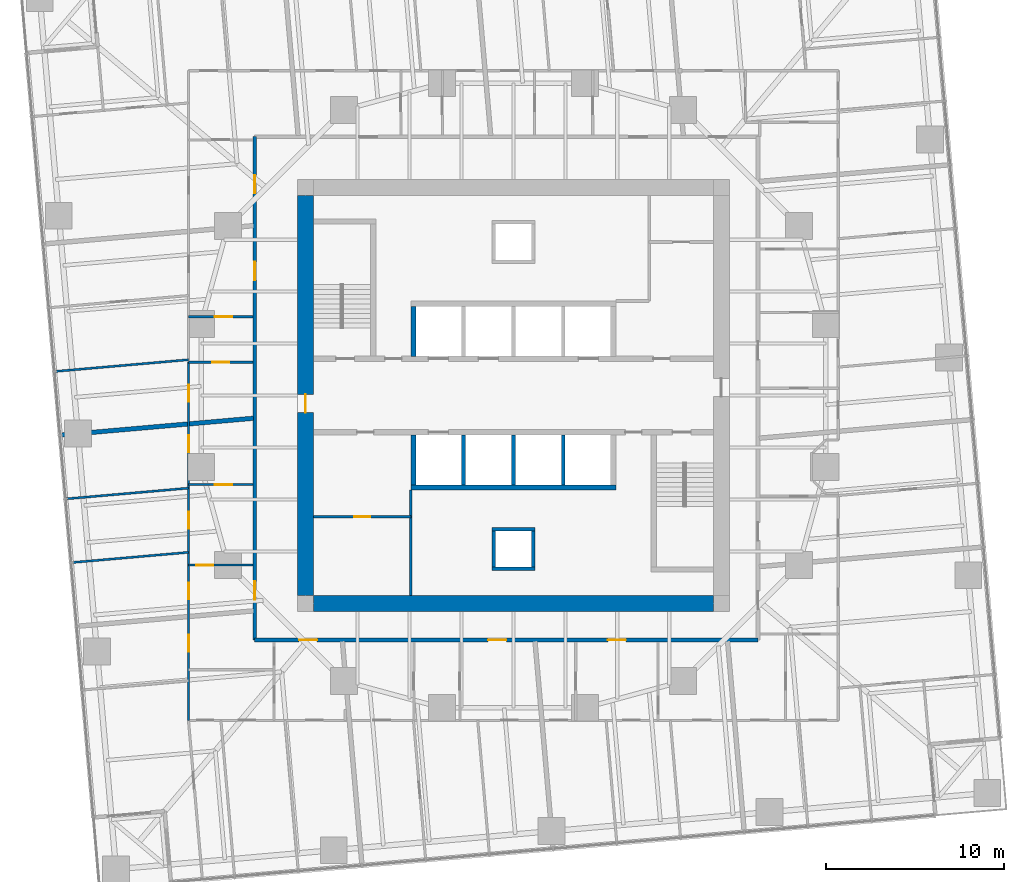
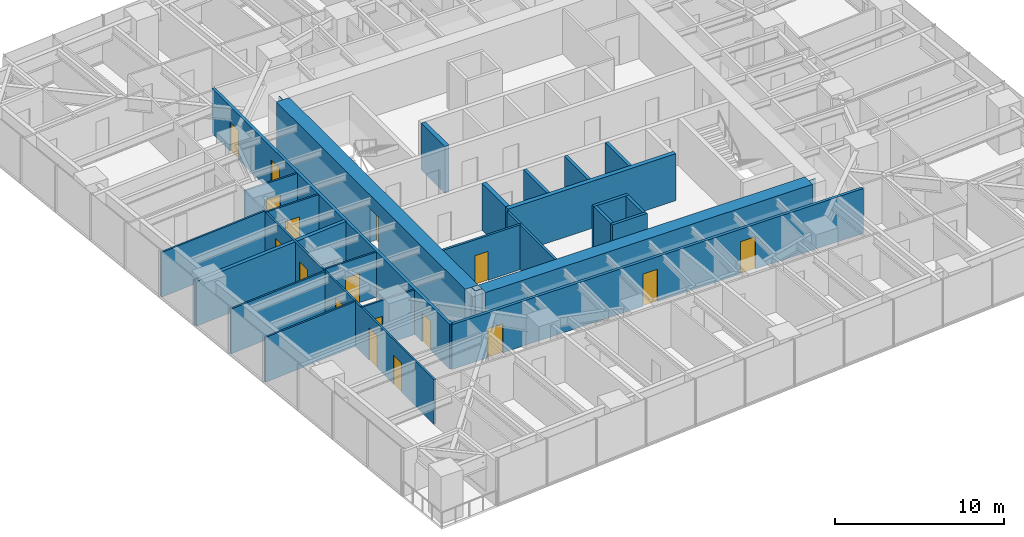
# One storey, part 9 of 14: 25 walls, 17 doors, 17 openings.
"""IFC4 building model written with IfcOpenShell, lengths in metres."""

from ifc_helpers import new_model, si_unit, direction, frame, frame_2d, origin, place, context, subcontext, project, spatial, polyline, rectangle, outline, extrude, material, layer, layer_set, type_object, element, fill, save


model = new_model("IFC4")

# Units and contexts
model_context = context("Model", 3, precision=1e-05, world=origin(), true_north=direction((0.0, 1.0)))
body_context = subcontext(model_context, "Body", "Model", "MODEL_VIEW")
ifc_project = project(units=[si_unit("LENGTHUNIT", "METRE"), si_unit("AREAUNIT", "SQUARE_METRE"), si_unit("VOLUMEUNIT", "CUBIC_METRE"), si_unit("PLANEANGLEUNIT", "RADIAN"), si_unit("MASSUNIT", "GRAM", prefix="KILO")], contexts=[model_context])

# Site, building, storey
site_placement = place(None, origin())
site = spatial("IfcSite", under=ifc_project, at=site_placement, CompositionType="ELEMENT")
building_placement = place(site_placement, origin())
building = spatial("IfcBuilding", under=site, at=building_placement, Name="Torsade Residences", CompositionType="ELEMENT")
storey_placement = place(building_placement, frame((0.0, 0.0, 67.60009765625)))
storey = spatial("IfcBuildingStorey", under=building, at=storey_placement, Name="L18", CompositionType="ELEMENT", Elevation=67.60009765625)

# Walls
ifc_material_1 = material(Name="Concrete 80 MPa", Category="concrete")
ifc_layer_1 = layer(ifc_material_1, 0.300048828125)
ifc_layer_set_1 = layer_set([ifc_layer_1], Name="Concrete 80 MPa")
wall_type_1 = type_object("IfcWallType", Name="CORE INTERNAL WALL 300", PredefinedType="SHEAR", material=ifc_layer_set_1)
wall_1_placement = place(storey_placement, frame((45.75, 24.85009765625, 0.0), z_axis=(0.0, 0.0, 1.0), x_axis=(-1.0, 0.0, 0.0)))
element("IfcWall", 1, at=wall_1_placement, inside=storey, type_object=wall_type_1, Name="Core wall BS L18", PredefinedType="SHEAR", context=body_context, shape_type="SweptSolid", body=[
    extrude(rectangle(XDim=11.5, YDim=0.300048828125, at=frame_2d((5.75, 0.0))), origin(), (0.0, 0.0, 1.0), 3.39990234375),
])
for number, where, z_axis, x_axis, name in (
    (2, (34.39990234375, 32.199951171875, 0.0), (0.0, 0.0, 1.0), (0.0, 1.0, 0.0), "Core wall DN0 L18"),
    (3, (34.39990234375, 27.800048828125, 0.0), (0.0, 0.0, 1.0), (0.0, -1.0, 0.0), "Core wall DS4 L18"),
):
    element("IfcWall", number, at=place(storey_placement, frame(where, z_axis=z_axis, x_axis=x_axis)), inside=storey, type_object=wall_type_1, Name=name, PredefinedType="SHEAR", context=body_context, shape_type="SweptSolid", body=[
        extrude(rectangle(XDim=2.800048828125, YDim=0.300048828125, at=frame_2d((1.39990234375, 0.0))), origin(), (0.0, 0.0, 1.0), 3.39990234375),
    ])
ifc_material_2 = material(Name="Concrete 80 MPa", Category="concrete")
ifc_layer_2 = layer(ifc_material_2, 0.89990234375)
ifc_layer_set_2 = layer_set([ifc_layer_2], Name="Concrete 80 MPa")
wall_type_2 = type_object("IfcWallType", Name="CORE WALL 900", PredefinedType="SHEAR", material=ifc_layer_set_2)
wall_2_placement = place(storey_placement, frame((51.199951171875, 18.35009765625, 0.0), z_axis=(0.0, 0.0, 1.0), x_axis=(-1.0, 0.0, 0.0)))
element("IfcWall", 4, at=wall_2_placement, inside=storey, type_object=wall_type_2, Name="Core wall S L18", PredefinedType="SHEAR", context=body_context, shape_type="SweptSolid", body=[
    extrude(outline(polyline([(0.0, -0.449951171875), (22.39990234375, -0.449951171875), (22.39990234375, -0.02490234375), (22.849853515625, -0.02490234375), (22.849853515625, 0.02490234375), (22.39990234375, 0.02490234375), (22.39990234375, 0.449951171875), (0.0, 0.449951171875), (0.0, 0.02490234375), (-0.449951171875, 0.02490234375), (-0.449951171875, -0.02490234375), (0.0, -0.02490234375), (0.0, -0.449951171875)])), origin(), (0.0, 0.0, 1.0), 3.39990234375),
])

# Wall, opening, door
wall_3_placement = place(storey_placement, frame((28.35009765625, 41.199951171875, 0.0), z_axis=(0.0, 0.0, 1.0), x_axis=(0.0, -1.0, 0.0)))
wall_3 = element("IfcWall", 5, at=wall_3_placement, inside=storey, type_object=wall_type_2, Name="Core wall W L18", PredefinedType="SHEAR", context=body_context, shape_type="SweptSolid", body=[
    extrude(outline(polyline([(0.0, -0.449951171875), (22.39990234375, -0.449951171875), (22.39990234375, -0.02490234375), (22.849853515625, -0.02490234375), (22.849853515625, 0.02490234375), (22.39990234375, 0.02490234375), (22.39990234375, 0.449951171875), (0.0, 0.449951171875), (0.0, 0.02490234375), (-0.449951171875, 0.02490234375), (-0.449951171875, -0.02490234375), (0.0, -0.02490234375), (0.0, -0.449951171875)])), origin(), (0.0, 0.0, 1.0), 3.39990234375),
])
opening_1_placement = place(wall_3_placement, frame((11.139892578125, 0.0, 0.0)))
opening_1 = element("IfcOpeningElement", 6, at=opening_1_placement, cuts=wall_3, Name="Opening D04", PredefinedType="OPENING", context=body_context, shape_type="SweptSolid", body=[
    extrude(rectangle(XDim=1.02001953125, YDim=2.39990234375, at=frame_2d((0.510009765625, 1.199951171875))), frame((0.0, 0.4599609375, 0.0), z_axis=(0.0, -1.0, 0.0), x_axis=(1.0, 0.0, 0.0)), (0.0, 0.0, 1.0), 0.919921875),
])
ifc_material_3 = material(Name="Steel-framed fire door", Category="steel")
door_type_1 = type_object("IfcDoorType", Name="LOBBY SMOKE DOOR 1020x2400", OperationType="NOTDEFINED", PredefinedType="DOOR", material=ifc_material_3)
door_1_placement = place(opening_1_placement, origin())
door_1 = element("IfcDoor", 7, at=door_1_placement, inside=storey, type_object=door_type_1, Name="Lift lobby door W L18", OperationType="SINGLE_SWING_RIGHT", OverallHeight=2.39990234375, OverallWidth=1.02001953125, PredefinedType="DOOR", context=body_context, shape_type="SweptSolid", body=[
    extrude(rectangle(XDim=1.02001953125, YDim=2.39990234375, at=frame_2d((0.510009765625, 1.199951171875))), frame((0.0, 0.02490234375, 0.0), z_axis=(0.0, -1.0, 0.0), x_axis=(1.0, 0.0, 0.0)), (0.0, 0.0, 1.0), 0.050048828125),
])
fill(opening_1, door_1)

# Wall, openings, doors
ifc_material_4 = material(Name="Plasterboard on steel stud", Category="steel")
ifc_layer_3 = layer(ifc_material_4, 0.199951171875)
ifc_layer_set_3 = layer_set([ifc_layer_3], Name="Plasterboard on steel stud")
wall_type_3 = type_object("IfcWallType", Name="CORRIDOR WALL 200", PredefinedType="PARTITIONING", material=ifc_layer_set_3)
wall_4_placement = place(storey_placement, frame((25.5, 16.300048828125, 0.0), z_axis=(0.0, 0.0, 1.0), x_axis=(1.0, 0.0, 0.0)))
wall_4 = element("IfcWall", 8, at=wall_4_placement, inside=storey, type_object=wall_type_3, Name="Corridor wall L18", PredefinedType="PARTITIONING", context=body_context, shape_type="SweptSolid", body=[
    extrude(rectangle(XDim=28.199951171875, YDim=0.199951171875, at=frame_2d((14.10009765625, 0.0))), origin(), (0.0, 0.0, 1.0), 3.25),
])
opening_2_placement = place(wall_4_placement, frame((19.783935546875, 0.0, 0.0)))
opening_2 = element("IfcOpeningElement", 9, at=opening_2_placement, cuts=wall_4, Name="Opening D01", PredefinedType="OPENING", context=body_context, shape_type="SweptSolid", body=[
    extrude(rectangle(XDim=1.02001953125, YDim=2.340087890625, at=frame_2d((0.510009765625, 1.169921875))), frame((0.0, 0.10986328125, 0.0), z_axis=(0.0, -1.0, 0.0), x_axis=(1.0, 0.0, 0.0)), (0.0, 0.0, 1.0), 0.219970703125),
])
opening_3_placement = place(wall_4_placement, frame((13.085693359375, 0.0, 0.0)))
opening_3 = element("IfcOpeningElement", 10, at=opening_3_placement, cuts=wall_4, Name="Opening D01", PredefinedType="OPENING", context=body_context, shape_type="SweptSolid", body=[
    extrude(rectangle(XDim=1.02001953125, YDim=2.340087890625, at=frame_2d((0.510009765625, 1.169921875))), frame((0.0, 0.10986328125, 0.0), z_axis=(0.0, -1.0, 0.0), x_axis=(1.0, 0.0, 0.0)), (0.0, 0.0, 1.0), 0.219970703125),
])
opening_4_placement = place(wall_4_placement, frame((2.483154296875, 0.0, 0.0)))
opening_4 = element("IfcOpeningElement", 11, at=opening_4_placement, cuts=wall_4, Name="Opening D01L", PredefinedType="OPENING", context=body_context, shape_type="SweptSolid", body=[
    extrude(rectangle(XDim=1.02001953125, YDim=2.10009765625, at=frame_2d((0.510009765625, 1.050048828125))), frame((0.0, 0.10986328125, 0.0), z_axis=(0.0, -1.0, 0.0), x_axis=(1.0, 0.0, 0.0)), (0.0, 0.0, 1.0), 0.219970703125),
])
ifc_material_5 = material(Name="Solid-core timber fire door", Category="wood")
door_type_2 = type_object("IfcDoorType", Name="APARTMENT ENTRY DOOR 1020x2100", OperationType="NOTDEFINED", PredefinedType="DOOR", material=ifc_material_5)
door_2_placement = place(opening_4_placement, origin())
door_2 = element("IfcDoor", 12, at=door_2_placement, inside=storey, type_object=door_type_2, Name="Door Residential corridor to Kitchen and dining", OperationType="SINGLE_SWING_LEFT", OverallHeight=2.10009765625, OverallWidth=1.02001953125, PredefinedType="DOOR", context=body_context, shape_type="SweptSolid", body=[
    extrude(rectangle(XDim=1.02001953125, YDim=2.10009765625, at=frame_2d((0.510009765625, 1.050048828125))), frame((0.0, 0.02490234375, 0.0), z_axis=(0.0, -1.0, 0.0), x_axis=(1.0, 0.0, 0.0)), (0.0, 0.0, 1.0), 0.050048828125),
])
fill(opening_4, door_2)
ifc_material_6 = material(Name="Solid-core timber fire door", Category="wood")
door_type_3 = type_object("IfcDoorType", Name="APARTMENT ENTRY DOOR 1020x2340", OperationType="NOTDEFINED", PredefinedType="DOOR", material=ifc_material_6)
door_3_placement = place(opening_2_placement, origin())
door_3 = element("IfcDoor", 13, at=door_3_placement, inside=storey, type_object=door_type_3, Name="Door Residential corridor to Kitchen and dining", OperationType="SINGLE_SWING_LEFT", OverallHeight=2.340087890625, OverallWidth=1.02001953125, PredefinedType="DOOR", context=body_context, shape_type="SweptSolid", body=[
    extrude(rectangle(XDim=1.02001953125, YDim=2.340087890625, at=frame_2d((0.510009765625, 1.169921875))), frame((0.0, 0.02490234375, 0.0), z_axis=(0.0, -1.0, 0.0), x_axis=(1.0, 0.0, 0.0)), (0.0, 0.0, 1.0), 0.050048828125),
])
fill(opening_2, door_3)
door_4_placement = place(opening_3_placement, origin())
door_4 = element("IfcDoor", 14, at=door_4_placement, inside=storey, type_object=door_type_3, Name="Door Residential corridor to Kitchen and dining", OperationType="SINGLE_SWING_LEFT", OverallHeight=2.340087890625, OverallWidth=1.02001953125, PredefinedType="DOOR", context=body_context, shape_type="SweptSolid", body=[
    extrude(rectangle(XDim=1.02001953125, YDim=2.340087890625, at=frame_2d((0.510009765625, 1.169921875))), frame((0.0, 0.02490234375, 0.0), z_axis=(0.0, -1.0, 0.0), x_axis=(1.0, 0.0, 0.0)), (0.0, 0.0, 1.0), 0.050048828125),
])
fill(opening_3, door_4)

wall_5_placement = place(storey_placement, frame((25.5, 44.5, 0.0), z_axis=(0.0, 0.0, 1.0), x_axis=(0.0, -1.0, 0.0)))
wall_5 = element("IfcWall", 15, at=wall_5_placement, inside=storey, type_object=wall_type_3, Name="Corridor wall L18", PredefinedType="PARTITIONING", context=body_context, shape_type="SweptSolid", body=[
    extrude(rectangle(XDim=28.199951171875, YDim=0.199951171875, at=frame_2d((14.10009765625, 0.0))), origin(), (0.0, 0.0, 1.0), 3.25),
])
opening_5_placement = place(wall_5_placement, frame((7.019287109375, 0.0, 0.0)))
opening_5 = element("IfcOpeningElement", 16, at=opening_5_placement, cuts=wall_5, Name="Opening D01", PredefinedType="OPENING", context=body_context, shape_type="SweptSolid", body=[
    extrude(rectangle(XDim=1.02001953125, YDim=2.340087890625, at=frame_2d((0.510009765625, 1.169921875))), frame((0.0, 0.10986328125, 0.0), z_axis=(0.0, -1.0, 0.0), x_axis=(1.0, 0.0, 0.0)), (0.0, 0.0, 1.0), 0.219970703125),
])
opening_6_placement = place(wall_5_placement, frame((2.14990234375, 0.0, 0.0)))
opening_6 = element("IfcOpeningElement", 17, at=opening_6_placement, cuts=wall_5, Name="Opening D01L", PredefinedType="OPENING", context=body_context, shape_type="SweptSolid", body=[
    extrude(rectangle(XDim=1.02001953125, YDim=2.10009765625, at=frame_2d((0.510009765625, 1.050048828125))), frame((0.0, 0.10986328125, 0.0), z_axis=(0.0, -1.0, 0.0), x_axis=(1.0, 0.0, 0.0)), (0.0, 0.0, 1.0), 0.219970703125),
])
opening_7_placement = place(wall_5_placement, frame((24.916015625, 0.0, 0.0)))
opening_7 = element("IfcOpeningElement", 18, at=opening_7_placement, cuts=wall_5, Name="Opening D01L", PredefinedType="OPENING", context=body_context, shape_type="SweptSolid", body=[
    extrude(rectangle(XDim=1.02001953125, YDim=2.10009765625, at=frame_2d((0.510009765625, 1.050048828125))), frame((0.0, 0.10986328125, 0.0), z_axis=(0.0, -1.0, 0.0), x_axis=(1.0, 0.0, 0.0)), (0.0, 0.0, 1.0), 0.219970703125),
])
door_5_placement = place(opening_6_placement, origin())
door_5 = element("IfcDoor", 19, at=door_5_placement, inside=storey, type_object=door_type_2, Name="Door Residential corridor to Kitchen and dining", OperationType="SINGLE_SWING_LEFT", OverallHeight=2.10009765625, OverallWidth=1.02001953125, PredefinedType="DOOR", context=body_context, shape_type="SweptSolid", body=[
    extrude(rectangle(XDim=1.02001953125, YDim=2.10009765625, at=frame_2d((0.510009765625, 1.050048828125))), frame((0.0, 0.02490234375, 0.0), z_axis=(0.0, -1.0, 0.0), x_axis=(1.0, 0.0, 0.0)), (0.0, 0.0, 1.0), 0.050048828125),
])
fill(opening_6, door_5)
door_6_placement = place(opening_7_placement, origin())
door_6 = element("IfcDoor", 20, at=door_6_placement, inside=storey, type_object=door_type_2, Name="Door Residential corridor to Kitchen and dining", OperationType="SINGLE_SWING_RIGHT", OverallHeight=2.10009765625, OverallWidth=1.02001953125, PredefinedType="DOOR", context=body_context, shape_type="SweptSolid", body=[
    extrude(rectangle(XDim=1.02001953125, YDim=2.10009765625, at=frame_2d((0.510009765625, 1.050048828125))), frame((0.0, 0.02490234375, 0.0), z_axis=(0.0, -1.0, 0.0), x_axis=(1.0, 0.0, 0.0)), (0.0, 0.0, 1.0), 0.050048828125),
])
fill(opening_7, door_6)
door_7_placement = place(opening_5_placement, origin())
door_7 = element("IfcDoor", 21, at=door_7_placement, inside=storey, type_object=door_type_3, Name="Door Residential corridor to Kitchen and dining", OperationType="SINGLE_SWING_RIGHT", OverallHeight=2.340087890625, OverallWidth=1.02001953125, PredefinedType="DOOR", context=body_context, shape_type="SweptSolid", body=[
    extrude(rectangle(XDim=1.02001953125, YDim=2.340087890625, at=frame_2d((0.510009765625, 1.169921875))), frame((0.0, 0.02490234375, 0.0), z_axis=(0.0, -1.0, 0.0), x_axis=(1.0, 0.0, 0.0)), (0.0, 0.0, 1.0), 0.050048828125),
])
fill(opening_5, door_7)

# Walls
ifc_material_7 = material(Name="Reinforced blockwork", Category="masonry")
ifc_layer_4 = layer(ifc_material_7, 0.199951171875)
ifc_layer_set_4 = layer_set([ifc_layer_4], Name="Reinforced blockwork")
wall_type_4 = type_object("IfcWallType", Name="LIFT SHAFT DIVIDING WALL 200", PredefinedType="SOLIDWALL", material=ifc_layer_set_4)
for number, where, z_axis, x_axis, name in (
    (22, (42.800048828125, 27.800048828125, 0.0), (0.0, 0.0, 1.0), (0.0, -1.0, 0.0), "Core wall DS1 L18"),
    (23, (40.0, 27.800048828125, 0.0), (0.0, 0.0, 1.0), (0.0, -1.0, 0.0), "Core wall DS2 L18"),
    (24, (37.199951171875, 27.800048828125, 0.0), (0.0, 0.0, 1.0), (0.0, -1.0, 0.0), "Core wall DS3 L18"),
):
    element("IfcWall", number, at=place(storey_placement, frame(where, z_axis=z_axis, x_axis=x_axis)), inside=storey, type_object=wall_type_4, Name=name, PredefinedType="SOLIDWALL", context=body_context, shape_type="SweptSolid", body=[
        extrude(rectangle(XDim=2.800048828125, YDim=0.199951171875, at=frame_2d((1.39990234375, 0.0))), origin(), (0.0, 0.0, 1.0), 3.39990234375),
    ])

# Wall, opening, door
ifc_material_8 = material(Name="Plasterboard on steel stud", Category="steel")
ifc_layer_5 = layer(ifc_material_8, 0.1201171875)
ifc_layer_set_5 = layer_set([ifc_layer_5], Name="Plasterboard on steel stud")
wall_type_5 = type_object("IfcWallType", Name="PARTITION 120", PredefinedType="PARTITIONING", material=ifc_layer_set_5)
wall_6_placement = place(storey_placement, frame((21.800048828125, 20.5, 0.0), z_axis=(0.0, 0.0, 1.0), x_axis=(1.0, 0.0, 0.0)))
wall_6 = element("IfcWall", 25, at=wall_6_placement, inside=storey, type_object=wall_type_5, Name="Partition L18", PredefinedType="PARTITIONING", context=body_context, shape_type="SweptSolid", body=[
    extrude(rectangle(XDim=3.599853515625, YDim=0.1201171875, at=frame_2d((1.7998046875, 0.0))), origin(), (0.0, 0.0, 1.0), 3.25),
])
opening_8_placement = place(wall_6_placement, frame((0.419921875, 0.0, 0.0)))
opening_8 = element("IfcOpeningElement", 26, at=opening_8_placement, cuts=wall_6, Name="Opening D05", PredefinedType="OPENING", context=body_context, shape_type="SweptSolid", body=[
    extrude(rectangle(XDim=0.9599609375, YDim=2.10009765625, at=frame_2d((0.47998046875, 1.050048828125))), frame((0.0, 0.070068359375, 0.0), z_axis=(0.0, -1.0, 0.0), x_axis=(1.0, 0.0, 0.0)), (0.0, 0.0, 1.0), 0.14013671875),
])
ifc_material_9 = material(Name="Hollow-core timber door in a steel cavity frame", Category="steel")
door_type_4 = type_object("IfcDoorType", Name="BATHROOM CAVITY SLIDING DOOR 960", OperationType="SLIDING_TO_LEFT", PredefinedType="DOOR", material=ifc_material_9)
door_8_placement = place(opening_8_placement, origin())
door_8 = element("IfcDoor", 27, at=door_8_placement, inside=storey, type_object=door_type_4, Name="Door Kitchen and dining to Ensuite", OperationType="SLIDING_TO_LEFT", OverallHeight=2.10009765625, OverallWidth=0.9599609375, PredefinedType="DOOR", context=body_context, shape_type="SweptSolid", body=[
    extrude(rectangle(XDim=0.9599609375, YDim=2.10009765625, at=frame_2d((0.47998046875, 1.050048828125))), frame((0.0, 0.02490234375, 0.0), z_axis=(0.0, -1.0, 0.0), x_axis=(1.0, 0.0, 0.0)), (0.0, 0.0, 1.0), 0.050048828125),
])
fill(opening_8, door_8)

# Wall, openings, doors
wall_7_placement = place(storey_placement, frame((21.800048828125, 11.800048828125, 0.0), z_axis=(0.0, 0.0, 1.0), x_axis=(0.0, 1.0, 0.0)))
wall_7 = element("IfcWall", 28, at=wall_7_placement, inside=storey, type_object=wall_type_5, Name="Partition L18", PredefinedType="PARTITIONING", context=body_context, shape_type="SweptSolid", body=[
    extrude(rectangle(XDim=20.06494140625, YDim=0.1201171875, at=frame_2d((10.032470703125, 0.0))), origin(), (0.0, 0.0, 1.0), 3.25),
])
opening_9_placement = place(wall_7_placement, frame((6.79833984375, 0.0, 0.0)))
opening_9 = element("IfcOpeningElement", 29, at=opening_9_placement, cuts=wall_7, Name="Opening D02", PredefinedType="OPENING", context=body_context, shape_type="SweptSolid", body=[
    extrude(rectangle(XDim=0.919921875, YDim=2.340087890625, at=frame_2d((0.4599609375, 1.169921875))), frame((0.0, 0.070068359375, 0.0), z_axis=(0.0, -1.0, 0.0), x_axis=(1.0, 0.0, 0.0)), (0.0, 0.0, 1.0), 0.14013671875),
])
opening_10_placement = place(wall_7_placement, frame((3.84521484375, 0.0, 0.0)))
opening_10 = element("IfcOpeningElement", 30, at=opening_10_placement, cuts=wall_7, Name="Opening D05", PredefinedType="OPENING", context=body_context, shape_type="SweptSolid", body=[
    extrude(rectangle(XDim=0.9599609375, YDim=2.10009765625, at=frame_2d((0.47998046875, 1.050048828125))), frame((0.0, 0.070068359375, 0.0), z_axis=(0.0, -1.0, 0.0), x_axis=(1.0, 0.0, 0.0)), (0.0, 0.0, 1.0), 0.14013671875),
])
opening_11_placement = place(wall_7_placement, frame((10.732177734375, 0.0, 0.0)))
opening_11 = element("IfcOpeningElement", 31, at=opening_11_placement, cuts=wall_7, Name="Opening D05", PredefinedType="OPENING", context=body_context, shape_type="SweptSolid", body=[
    extrude(rectangle(XDim=0.9599609375, YDim=2.10009765625, at=frame_2d((0.47998046875, 1.050048828125))), frame((0.0, 0.070068359375, 0.0), z_axis=(0.0, -1.0, 0.0), x_axis=(1.0, 0.0, 0.0)), (0.0, 0.0, 1.0), 0.14013671875),
])
opening_12_placement = place(wall_7_placement, frame((17.8564453125, 0.0, 0.0)))
opening_12 = element("IfcOpeningElement", 32, at=opening_12_placement, cuts=wall_7, Name="Opening D05", PredefinedType="OPENING", context=body_context, shape_type="SweptSolid", body=[
    extrude(rectangle(XDim=0.9599609375, YDim=2.10009765625, at=frame_2d((0.47998046875, 1.050048828125))), frame((0.0, 0.070068359375, 0.0), z_axis=(0.0, -1.0, 0.0), x_axis=(1.0, 0.0, 0.0)), (0.0, 0.0, 1.0), 0.14013671875),
])
opening_13_placement = place(wall_7_placement, frame((15.02685546875, 0.0, 0.0)))
opening_13 = element("IfcOpeningElement", 33, at=opening_13_placement, cuts=wall_7, Name="Opening D05", PredefinedType="OPENING", context=body_context, shape_type="SweptSolid", body=[
    extrude(rectangle(XDim=0.9599609375, YDim=2.10009765625, at=frame_2d((0.47998046875, 1.050048828125))), frame((0.0, 0.070068359375, 0.0), z_axis=(0.0, -1.0, 0.0), x_axis=(1.0, 0.0, 0.0)), (0.0, 0.0, 1.0), 0.14013671875),
])
door_9_placement = place(opening_10_placement, origin())
door_9 = element("IfcDoor", 34, at=door_9_placement, inside=storey, type_object=door_type_4, Name="Door Bathroom to Study", OperationType="SLIDING_TO_LEFT", OverallHeight=2.10009765625, OverallWidth=0.9599609375, PredefinedType="DOOR", context=body_context, shape_type="SweptSolid", body=[
    extrude(rectangle(XDim=0.9599609375, YDim=2.10009765625, at=frame_2d((0.47998046875, 1.050048828125))), frame((0.0, 0.02490234375, 0.0), z_axis=(0.0, -1.0, 0.0), x_axis=(1.0, 0.0, 0.0)), (0.0, 0.0, 1.0), 0.050048828125),
])
fill(opening_10, door_9)
door_10_placement = place(opening_11_placement, origin())
door_10 = element("IfcDoor", 35, at=door_10_placement, inside=storey, type_object=door_type_4, Name="Door Ensuite to Bedroom 1", OperationType="SLIDING_TO_LEFT", OverallHeight=2.10009765625, OverallWidth=0.9599609375, PredefinedType="DOOR", context=body_context, shape_type="SweptSolid", body=[
    extrude(rectangle(XDim=0.9599609375, YDim=2.10009765625, at=frame_2d((0.47998046875, 1.050048828125))), frame((0.0, 0.02490234375, 0.0), z_axis=(0.0, -1.0, 0.0), x_axis=(1.0, 0.0, 0.0)), (0.0, 0.0, 1.0), 0.050048828125),
])
fill(opening_11, door_10)
door_11_placement = place(opening_12_placement, origin())
door_11 = element("IfcDoor", 36, at=door_11_placement, inside=storey, type_object=door_type_4, Name="Door Bathroom to Bedroom 2", OperationType="SLIDING_TO_LEFT", OverallHeight=2.10009765625, OverallWidth=0.9599609375, PredefinedType="DOOR", context=body_context, shape_type="SweptSolid", body=[
    extrude(rectangle(XDim=0.9599609375, YDim=2.10009765625, at=frame_2d((0.47998046875, 1.050048828125))), frame((0.0, 0.02490234375, 0.0), z_axis=(0.0, -1.0, 0.0), x_axis=(1.0, 0.0, 0.0)), (0.0, 0.0, 1.0), 0.050048828125),
])
fill(opening_12, door_11)
door_12_placement = place(opening_13_placement, origin())
door_12 = element("IfcDoor", 37, at=door_12_placement, inside=storey, type_object=door_type_4, Name="Door Bathroom to Living room", OperationType="SLIDING_TO_LEFT", OverallHeight=2.10009765625, OverallWidth=0.9599609375, PredefinedType="DOOR", context=body_context, shape_type="SweptSolid", body=[
    extrude(rectangle(XDim=0.9599609375, YDim=2.10009765625, at=frame_2d((0.47998046875, 1.050048828125))), frame((0.0, 0.02490234375, 0.0), z_axis=(0.0, -1.0, 0.0), x_axis=(1.0, 0.0, 0.0)), (0.0, 0.0, 1.0), 0.050048828125),
])
fill(opening_13, door_12)
ifc_material_10 = material(Name="Hollow-core timber door", Category="wood")
door_type_5 = type_object("IfcDoorType", Name="INTERNAL DOOR 920x2340", OperationType="NOTDEFINED", PredefinedType="DOOR", material=ifc_material_10)
door_13_placement = place(opening_9_placement, origin())
door_13 = element("IfcDoor", 38, at=door_13_placement, inside=storey, type_object=door_type_5, Name="Door Kitchen and dining to Bedroom 2", OperationType="SINGLE_SWING_LEFT", OverallHeight=2.340087890625, OverallWidth=0.919921875, PredefinedType="DOOR", context=body_context, shape_type="SweptSolid", body=[
    extrude(rectangle(XDim=0.919921875, YDim=2.340087890625, at=frame_2d((0.4599609375, 1.169921875))), frame((0.0, 0.02490234375, 0.0), z_axis=(0.0, -1.0, 0.0), x_axis=(1.0, 0.0, 0.0)), (0.0, 0.0, 1.0), 0.050048828125),
])
fill(opening_9, door_13)

# Wall, opening, door
wall_8_placement = place(storey_placement, frame((25.39990234375, 25.005859375, 0.0), z_axis=(0.0, 0.0, 1.0), x_axis=(-1.0, 0.0, 0.0)))
wall_8 = element("IfcWall", 39, at=wall_8_placement, inside=storey, type_object=wall_type_5, Name="Partition L18", PredefinedType="PARTITIONING", context=body_context, shape_type="SweptSolid", body=[
    extrude(rectangle(XDim=3.599853515625, YDim=0.1201171875, at=frame_2d((1.7998046875, 0.0))), origin(), (0.0, 0.0, 1.0), 3.25),
])
opening_14_placement = place(wall_8_placement, frame((1.169921875, 0.0, 0.0)))
opening_14 = element("IfcOpeningElement", 40, at=opening_14_placement, cuts=wall_8, Name="Opening D05", PredefinedType="OPENING", context=body_context, shape_type="SweptSolid", body=[
    extrude(rectangle(XDim=0.9599609375, YDim=2.10009765625, at=frame_2d((0.47998046875, 1.050048828125))), frame((0.0, 0.070068359375, 0.0), z_axis=(0.0, -1.0, 0.0), x_axis=(1.0, 0.0, 0.0)), (0.0, 0.0, 1.0), 0.14013671875),
])
door_14_placement = place(opening_14_placement, origin())
door_14 = element("IfcDoor", 41, at=door_14_placement, inside=storey, type_object=door_type_4, Name="Door Ensuite to Bathroom", OperationType="SLIDING_TO_LEFT", OverallHeight=2.10009765625, OverallWidth=0.9599609375, PredefinedType="DOOR", context=body_context, shape_type="SweptSolid", body=[
    extrude(rectangle(XDim=0.9599609375, YDim=2.10009765625, at=frame_2d((0.47998046875, 1.050048828125))), frame((0.0, 0.02490234375, 0.0), z_axis=(0.0, -1.0, 0.0), x_axis=(1.0, 0.0, 0.0)), (0.0, 0.0, 1.0), 0.050048828125),
])
fill(opening_14, door_14)

# Walls
wall_9_placement = place(storey_placement, frame((21.800048828125, 24.810791015625, 0.0), z_axis=(0.0, 0.0, 1.0), x_axis=(-0.996191674914, -0.087190290923, 0.0)))
element("IfcWall", 42, at=wall_9_placement, inside=storey, type_object=wall_type_5, Name="Partition L18", PredefinedType="PARTITIONING", context=body_context, shape_type="SweptSolid", body=[
    extrude(rectangle(XDim=6.876953125, YDim=0.1201171875, at=frame_2d((3.4384765625, 0.0))), origin(), (0.0, 0.0, 1.0), 3.25),
])
wall_10_placement = place(storey_placement, frame((21.800048828125, 21.213623046875, 0.0), z_axis=(0.0, 0.0, 1.0), x_axis=(-0.996195090105, -0.087151261897, 0.0)))
element("IfcWall", 43, at=wall_10_placement, inside=storey, type_object=wall_type_5, Name="Partition L18", PredefinedType="PARTITIONING", context=body_context, shape_type="SweptSolid", body=[
    extrude(rectangle(XDim=6.5634765625, YDim=0.1201171875, at=frame_2d((3.28173828125, 0.0))), origin(), (0.0, 0.0, 1.0), 3.25),
])

# Wall, opening, door
wall_11_placement = place(storey_placement, frame((25.39990234375, 34.409423828125, 0.0), z_axis=(0.0, 0.0, 1.0), x_axis=(-1.0, 0.0, 0.0)))
wall_11 = element("IfcWall", 44, at=wall_11_placement, inside=storey, type_object=wall_type_5, Name="Partition L18", PredefinedType="PARTITIONING", context=body_context, shape_type="SweptSolid", body=[
    extrude(rectangle(XDim=3.599853515625, YDim=0.1201171875, at=frame_2d((1.7998046875, 0.0))), origin(), (0.0, 0.0, 1.0), 3.25),
])
opening_15_placement = place(wall_11_placement, frame((1.169921875, 0.0, 0.0)))
opening_15 = element("IfcOpeningElement", 45, at=opening_15_placement, cuts=wall_11, Name="Opening D05", PredefinedType="OPENING", context=body_context, shape_type="SweptSolid", body=[
    extrude(rectangle(XDim=0.9599609375, YDim=2.10009765625, at=frame_2d((0.47998046875, 1.050048828125))), frame((0.0, 0.070068359375, 0.0), z_axis=(0.0, -1.0, 0.0), x_axis=(1.0, 0.0, 0.0)), (0.0, 0.0, 1.0), 0.14013671875),
])
door_15_placement = place(opening_15_placement, origin())
door_15 = element("IfcDoor", 46, at=door_15_placement, inside=storey, type_object=door_type_4, Name="Door Kitchen and dining to Ensuite", OperationType="SLIDING_TO_LEFT", OverallHeight=2.10009765625, OverallWidth=0.9599609375, PredefinedType="DOOR", context=body_context, shape_type="SweptSolid", body=[
    extrude(rectangle(XDim=0.9599609375, YDim=2.10009765625, at=frame_2d((0.47998046875, 1.050048828125))), frame((0.0, 0.02490234375, 0.0), z_axis=(0.0, -1.0, 0.0), x_axis=(1.0, 0.0, 0.0)), (0.0, 0.0, 1.0), 0.050048828125),
])
fill(opening_15, door_15)

wall_12_placement = place(storey_placement, frame((21.800048828125, 31.864990234375, 0.0), z_axis=(0.0, 0.0, 1.0), x_axis=(1.0, 0.0, 0.0)))
wall_12 = element("IfcWall", 47, at=wall_12_placement, inside=storey, type_object=wall_type_5, Name="Partition L18", PredefinedType="PARTITIONING", context=body_context, shape_type="SweptSolid", body=[
    extrude(rectangle(XDim=3.599853515625, YDim=0.1201171875, at=frame_2d((1.7998046875, 0.0))), origin(), (0.0, 0.0, 1.0), 3.25),
])
opening_16_placement = place(wall_12_placement, frame((1.320068359375, 0.0, 0.0)))
opening_16 = element("IfcOpeningElement", 48, at=opening_16_placement, cuts=wall_12, Name="Opening D05", PredefinedType="OPENING", context=body_context, shape_type="SweptSolid", body=[
    extrude(rectangle(XDim=0.9599609375, YDim=2.10009765625, at=frame_2d((0.47998046875, 1.050048828125))), frame((0.0, 0.070068359375, 0.0), z_axis=(0.0, -1.0, 0.0), x_axis=(1.0, 0.0, 0.0)), (0.0, 0.0, 1.0), 0.14013671875),
])
door_16_placement = place(opening_16_placement, origin())
door_16 = element("IfcDoor", 49, at=door_16_placement, inside=storey, type_object=door_type_4, Name="Door Ensuite to Bathroom", OperationType="SLIDING_TO_LEFT", OverallHeight=2.10009765625, OverallWidth=0.9599609375, PredefinedType="DOOR", context=body_context, shape_type="SweptSolid", body=[
    extrude(rectangle(XDim=0.9599609375, YDim=2.10009765625, at=frame_2d((0.47998046875, 1.050048828125))), frame((0.0, 0.02490234375, 0.0), z_axis=(0.0, -1.0, 0.0), x_axis=(1.0, 0.0, 0.0)), (0.0, 0.0, 1.0), 0.050048828125),
])
fill(opening_16, door_16)

# Walls
wall_13_placement = place(storey_placement, frame((21.800048828125, 32.004638671875, 0.0), z_axis=(0.0, 0.0, 1.0), x_axis=(-0.99619442374, -0.08715887855, 0.0)))
element("IfcWall", 50, at=wall_13_placement, inside=storey, type_object=wall_type_5, Name="Partition L18", PredefinedType="PARTITIONING", context=body_context, shape_type="SweptSolid", body=[
    extrude(rectangle(XDim=7.504150390625, YDim=0.1201171875, at=frame_2d((3.751953125, 0.0))), origin(), (0.0, 0.0, 1.0), 3.25),
])
ifc_material_11 = material(Name="Masonry-lined stud party wall", Category="masonry")
ifc_layer_6 = layer(ifc_material_11, 0.25)
ifc_layer_set_6 = layer_set([ifc_layer_6], Name="Masonry-lined stud party wall")
wall_type_6 = type_object("IfcWallType", Name="PARTY WALL 250", PredefinedType="PARTITIONING", material=ifc_layer_set_6)
wall_14_placement = place(storey_placement, frame((14.596923828125, 27.777587890625, 0.0), z_axis=(0.0, 0.0, 1.0), x_axis=(0.996196056792, 0.087140211333, 0.0)))
element("IfcWall", 51, at=wall_14_placement, inside=storey, type_object=wall_type_6, Name="Party wall L18", PredefinedType="PARTITIONING", context=body_context, shape_type="SweptSolid", body=[
    extrude(rectangle(XDim=10.873291015625, YDim=0.25, at=frame_2d((5.4365234375, 0.0))), origin(), (0.0, 0.0, 1.0), 3.25),
])
ifc_material_12 = material(Name="Reinforced blockwork", Category="masonry")
ifc_layer_7 = layer(ifc_material_12, 0.199951171875)
ifc_layer_set_7 = layer_set([ifc_layer_7], Name="Reinforced blockwork")
wall_type_7 = type_object("IfcWallType", Name="RISER SHAFT WALL 200", PredefinedType="SOLIDWALL", material=ifc_layer_set_7)
for number, where, z_axis, x_axis, name in (
    (52, (38.89990234375, 22.39990234375, 0.0), (0.0, 0.0, 1.0), (0.0, -1.0, 0.0), "Core wall RS2a L18"),
    (53, (41.10009765625, 22.39990234375, 0.0), (0.0, 0.0, 1.0), (0.0, -1.0, 0.0), "Core wall RS2b L18"),
):
    element("IfcWall", number, at=place(storey_placement, frame(where, z_axis=z_axis, x_axis=x_axis)), inside=storey, type_object=wall_type_7, Name=name, PredefinedType="SOLIDWALL", context=body_context, shape_type="SweptSolid", body=[
        extrude(rectangle(XDim=2.0, YDim=0.199951171875, at=frame_2d((1.0, 0.0))), origin(), (0.0, 0.0, 1.0), 3.39990234375),
    ])
for number, where, z_axis, x_axis, name in (
    (54, (38.800048828125, 22.5, 0.0), (0.0, 0.0, 1.0), (1.0, 0.0, 0.0), "Core wall RS2c L18"),
    (55, (38.800048828125, 20.300048828125, 0.0), (0.0, 0.0, 1.0), (1.0, 0.0, 0.0), "Core wall RS2d L18"),
):
    element("IfcWall", number, at=place(storey_placement, frame(where, z_axis=z_axis, x_axis=x_axis)), inside=storey, type_object=wall_type_7, Name=name, PredefinedType="SOLIDWALL", context=body_context, shape_type="SweptSolid", body=[
        extrude(rectangle(XDim=2.39990234375, YDim=0.199951171875, at=frame_2d((1.199951171875, 0.0))), origin(), (0.0, 0.0, 1.0), 3.39990234375),
    ])
ifc_material_13 = material(Name="Reinforced blockwork", Category="masonry")
ifc_layer_8 = layer(ifc_material_13, 0.14990234375)
ifc_layer_set_8 = layer_set([ifc_layer_8], Name="Reinforced blockwork")
wall_type_8 = type_object("IfcWallType", Name="SERVICE ROOM WALL 150", PredefinedType="SOLIDWALL", material=ifc_layer_set_8)
wall_15_placement = place(storey_placement, frame((34.25, 18.800048828125, 0.0), z_axis=(0.0, 0.0, 1.0), x_axis=(0.0, 1.0, 0.0)))
element("IfcWall", 56, at=wall_15_placement, inside=storey, type_object=wall_type_8, Name="Service room wall L18", PredefinedType="SOLIDWALL", context=body_context, shape_type="SweptSolid", body=[
    extrude(rectangle(XDim=5.89990234375, YDim=0.14990234375, at=frame_2d((2.949951171875, 0.0))), origin(), (0.0, 0.0, 1.0), 3.25),
])

# Wall, opening, door
wall_16_placement = place(storey_placement, frame((34.25, 23.199951171875, 0.0), z_axis=(0.0, 0.0, 1.0), x_axis=(-1.0, 0.0, 0.0)))
wall_16 = element("IfcWall", 57, at=wall_16_placement, inside=storey, type_object=wall_type_8, Name="Service room wall L18", PredefinedType="SOLIDWALL", context=body_context, shape_type="SweptSolid", body=[
    extrude(rectangle(XDim=5.449951171875, YDim=0.14990234375, at=frame_2d((2.72509765625, 0.0))), origin(), (0.0, 0.0, 1.0), 3.25),
])
opening_17_placement = place(wall_16_placement, frame((2.264892578125, 0.0, 0.0)))
opening_17 = element("IfcOpeningElement", 58, at=opening_17_placement, cuts=wall_16, Name="Opening D06", PredefinedType="OPENING", context=body_context, shape_type="SweptSolid", body=[
    extrude(rectangle(XDim=0.919921875, YDim=2.10009765625, at=frame_2d((0.4599609375, 1.050048828125))), frame((0.0, 0.0849609375, 0.0), z_axis=(0.0, -1.0, 0.0), x_axis=(1.0, 0.0, 0.0)), (0.0, 0.0, 1.0), 0.169921875),
])
ifc_material_14 = material(Name="Steel-framed fire door", Category="steel")
door_type_6 = type_object("IfcDoorType", Name="FIRE DOOR 920", OperationType="NOTDEFINED", PredefinedType="DOOR", material=ifc_material_14)
door_17_placement = place(opening_17_placement, origin())
door_17 = element("IfcDoor", 59, at=door_17_placement, inside=storey, type_object=door_type_6, Name="Door Cleaner store to Hose reel and hydrant store", OperationType="SINGLE_SWING_LEFT", OverallHeight=2.10009765625, OverallWidth=0.919921875, PredefinedType="DOOR", context=body_context, shape_type="SweptSolid", body=[
    extrude(rectangle(XDim=0.919921875, YDim=2.10009765625, at=frame_2d((0.4599609375, 1.050048828125))), frame((0.0, 0.02490234375, 0.0), z_axis=(0.0, -1.0, 0.0), x_axis=(1.0, 0.0, 0.0)), (0.0, 0.0, 1.0), 0.050048828125),
])
fill(opening_17, door_17)

save(model, "model.ifc")
